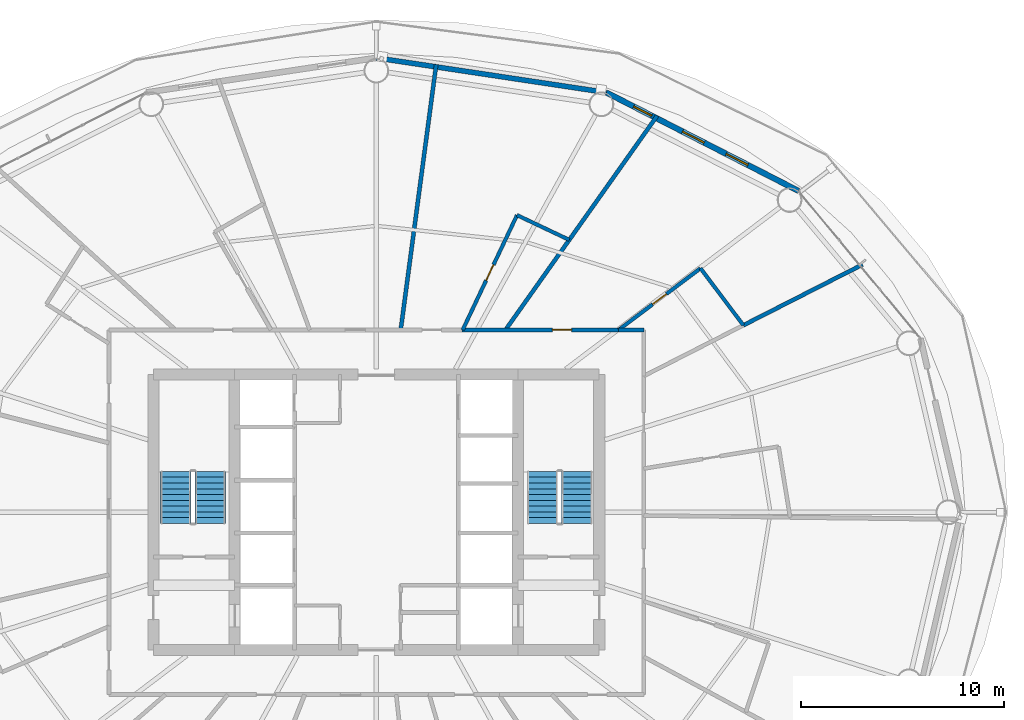
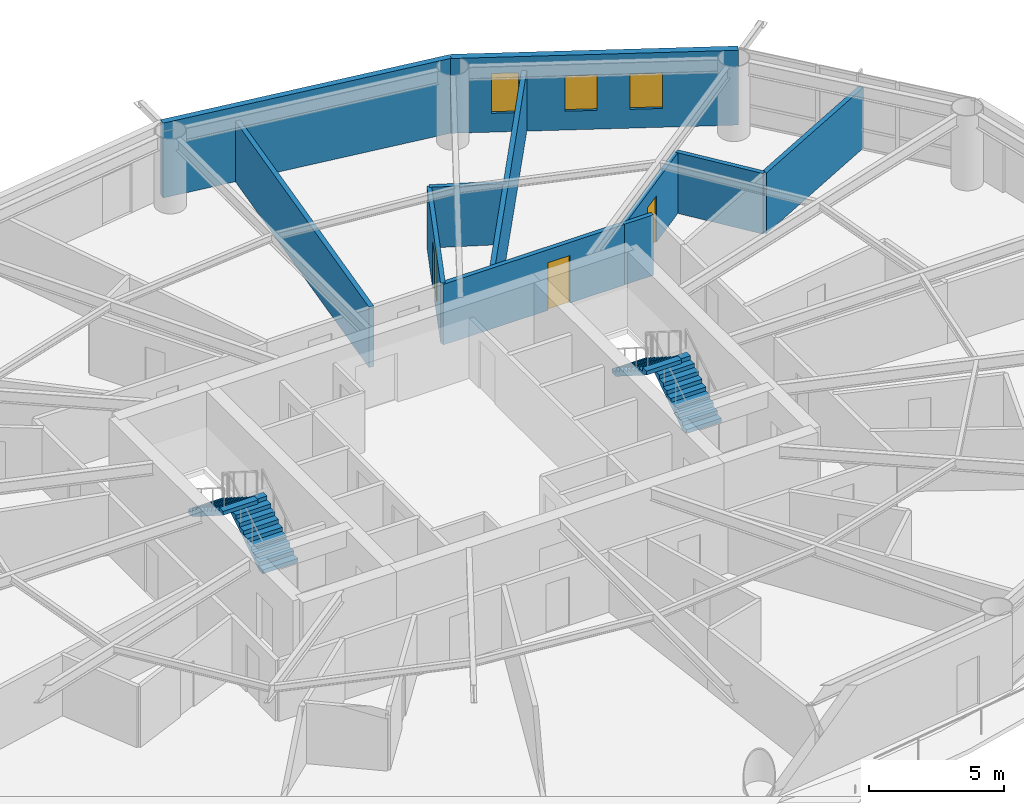
# One storey, part 21 of 24: 11 walls, 4 stair flights, 3 doors, 3 windows, 6 openings, 2 elements without a shape of their own.
"""IFC4 building model written with IfcOpenShell, lengths in metres."""

from ifc_helpers import new_model, si_unit, direction, frame, frame_2d, origin, place, context, subcontext, project, spatial, polyline, rectangle, outline, extrude, material, layer, layer_set, type_object, element, fill, aggregate, save


model = new_model("IFC4")

# Units and contexts
model_context = context("Model", 3, precision=1e-05, world=origin(), true_north=direction((0.0, 1.0)))
body_context = subcontext(model_context, "Body", "Model", "MODEL_VIEW")
ifc_project = project(units=[si_unit("LENGTHUNIT", "METRE"), si_unit("AREAUNIT", "SQUARE_METRE"), si_unit("VOLUMEUNIT", "CUBIC_METRE"), si_unit("PLANEANGLEUNIT", "RADIAN"), si_unit("MASSUNIT", "GRAM", prefix="KILO")], contexts=[model_context])

# Site, building, storey
site_placement = place(None, origin())
site = spatial("IfcSite", under=ifc_project, at=site_placement, CompositionType="ELEMENT")
building_placement = place(site_placement, origin())
building = spatial("IfcBuilding", under=site, at=building_placement, Name="Sarneth Arch Tower", CompositionType="ELEMENT")
storey_placement = place(building_placement, frame((0.0, 0.0, 112.800048828125)))
storey = spatial("IfcBuildingStorey", under=building, at=storey_placement, Name="L28", CompositionType="ELEMENT", Elevation=112.800048828125)

# Wall, opening, door
ifc_material_1 = material(Name="Double steel-stud corridor fire wall", Category="steel")
ifc_layer_1 = layer(ifc_material_1, 0.18994140625)
ifc_layer_set_1 = layer_set([ifc_layer_1], Name="Double steel-stud corridor fire wall")
wall_type_1 = type_object("IfcWallType", Name="WALL-CORR-190", PredefinedType="PARTITIONING", material=ifc_layer_set_1)
wall_1_placement = place(storey_placement, frame((59.956787109375, 51.0, 0.0), z_axis=(0.0, 0.0, 1.0), x_axis=(-1.0, 0.0, 0.0)))
wall_1 = element("IfcWall", 1, at=wall_1_placement, inside=storey, type_object=wall_type_1, Name="L28 Interior partition W-L28-TP-001", PredefinedType="PARTITIONING", context=body_context, shape_type="SweptSolid", body=[
    extrude(rectangle(XDim=7.73046875, YDim=0.18994140625, at=frame_2d((3.865234375, 0.0))), origin(), (0.0, 0.0, 1.0), 2.739990234375),
])
opening_1_placement = place(wall_1_placement, frame((2.31640625, 0.0, 0.0)))
opening_1 = element("IfcOpeningElement", 2, at=opening_1_placement, cuts=wall_1, Name="Opening FD-09", PredefinedType="OPENING", context=body_context, shape_type="SweptSolid", body=[
    extrude(rectangle(XDim=0.949951171875, YDim=2.14990234375, at=frame_2d((0.47509765625, 1.074951171875))), frame((0.0, 0.10498046875, 0.0), z_axis=(0.0, -1.0, 0.0), x_axis=(1.0, 0.0, 0.0)), (0.0, 0.0, 1.0), 0.2099609375),
])
ifc_material_2 = material(Name="Hardwood timber hotel entrance fire door", Category="wood")
door_type_1 = type_object("IfcDoorType", Name="DR-FD60-950", OperationType="SINGLE_SWING_RIGHT", PredefinedType="DOOR", material=ifc_material_2)
door_1_placement = place(opening_1_placement, origin())
door_1 = element("IfcDoor", 3, at=door_1_placement, inside=storey, type_object=door_type_1, Name="L28 Interior door DR-L28-KEY-01", OperationType="SINGLE_SWING_LEFT", OverallHeight=2.14990234375, OverallWidth=0.949951171875, PredefinedType="DOOR", context=body_context, shape_type="SweptSolid", body=[
    extrude(rectangle(XDim=0.949951171875, YDim=2.14990234375, at=frame_2d((0.47509765625, 1.074951171875))), frame((0.0, 0.02490234375, 0.0), z_axis=(0.0, -1.0, 0.0), x_axis=(1.0, 0.0, 0.0)), (0.0, 0.0, 1.0), 0.050048828125),
])
fill(opening_1, door_1)

# Wall
ifc_material_3 = material(Name="Extruded terracotta rainscreen on Concrete C40/50 backing", Category="masonry")
ifc_layer_2 = layer(ifc_material_3, 0.25)
ifc_layer_set_2 = layer_set([ifc_layer_2], Name="Extruded terracotta rainscreen on Concrete C40/50 backing")
wall_type_2 = type_object("IfcWallType", Name="WALL-EXT-SPAND-250", PredefinedType="SOLIDWALL", material=ifc_layer_set_2)
wall_2_placement = place(storey_placement, frame((59.351318359375, 62.72265625, 0.0), z_axis=(0.0, 0.0, 1.0), x_axis=(-0.988877774656, 0.148730450117, 0.0)))
element("IfcWall", 4, at=wall_2_placement, inside=storey, type_object=wall_type_2, Name="L28 Terracotta perimeter wall 04", PredefinedType="SOLIDWALL", context=body_context, shape_type="SweptSolid", body=[
    extrude(rectangle(XDim=11.47900390625, YDim=0.25, at=frame_2d((5.739501953125, 0.0))), origin(), (0.0, 0.0, 1.0), 3.3798828125),
])

# Wall, openings, windows
ifc_material_4 = material(Name="Extruded terracotta rainscreen on Concrete C40/50 backing", Category="masonry")
ifc_layer_3 = layer(ifc_material_4, 0.280029296875)
ifc_layer_set_3 = layer_set([ifc_layer_3], Name="Extruded terracotta rainscreen on Concrete C40/50 backing")
wall_type_3 = type_object("IfcWallType", Name="WALL-EXT-TERRA-280", PredefinedType="SOLIDWALL", material=ifc_layer_set_3)
wall_3_placement = place(storey_placement, frame((68.840087890625, 57.8603515625, 0.0), z_axis=(0.0, 0.0, 1.0), x_axis=(-0.889959505023, 0.45603955905, 0.0)))
wall_3 = element("IfcWall", 5, at=wall_3_placement, inside=storey, type_object=wall_type_3, Name="L28 Terracotta perimeter wall 03", PredefinedType="SOLIDWALL", context=body_context, shape_type="SweptSolid", body=[
    extrude(rectangle(XDim=10.662109375, YDim=0.280029296875, at=frame_2d((5.3310546875, 0.0))), origin(), (0.0, 0.0, 1.0), 3.3798828125),
])
opening_2_placement = place(wall_3_placement, frame((2.811279296875, 0.0, 0.85009765625)))
opening_2 = element("IfcOpeningElement", 6, at=opening_2_placement, cuts=wall_3, Name="Opening W-10", PredefinedType="OPENING", context=body_context, shape_type="SweptSolid", body=[
    extrude(rectangle(XDim=1.199951171875, YDim=1.60009765625, at=frame_2d((0.60009765625, 0.800048828125))), frame((0.0, 0.14990234375, 0.0), z_axis=(0.0, -1.0, 0.0), x_axis=(1.0, 0.0, 0.0)), (0.0, 0.0, 1.0), 0.300048828125),
])
opening_3_placement = place(wall_3_placement, frame((5.232421875, 0.0, 0.85009765625)))
opening_3 = element("IfcOpeningElement", 7, at=opening_3_placement, cuts=wall_3, Name="Opening W-10", PredefinedType="OPENING", context=body_context, shape_type="SweptSolid", body=[
    extrude(rectangle(XDim=1.199951171875, YDim=1.60009765625, at=frame_2d((0.60009765625, 0.800048828125))), frame((0.0, 0.14990234375, 0.0), z_axis=(0.0, -1.0, 0.0), x_axis=(1.0, 0.0, 0.0)), (0.0, 0.0, 1.0), 0.300048828125),
])
opening_4_placement = place(wall_3_placement, frame((8.141845703125, 0.0, 0.85009765625)))
opening_4 = element("IfcOpeningElement", 8, at=opening_4_placement, cuts=wall_3, Name="Opening W-11", PredefinedType="OPENING", context=body_context, shape_type="SweptSolid", body=[
    extrude(rectangle(XDim=1.0, YDim=1.800048828125, at=frame_2d((0.5, 0.89990234375))), frame((0.0, 0.14990234375, 0.0), z_axis=(0.0, -1.0, 0.0), x_axis=(1.0, 0.0, 0.0)), (0.0, 0.0, 1.0), 0.300048828125),
])
ifc_material_5 = material(Name="Thermally broken Aluminium 6063-T6 and low-e laminated IGU", Category="aluminium")
window_type_1 = type_object("IfcWindowType", Name="WIN-TWR-1000x1800", PartitioningType="SINGLE_PANEL", PredefinedType="WINDOW", material=ifc_material_5)
window_1_placement = place(opening_4_placement, origin())
window_1 = element("IfcWindow", 9, at=window_1_placement, inside=storey, type_object=window_type_1, Name="L28 Dwelling bedroom window 01", OverallHeight=1.800048828125, OverallWidth=1.0, PartitioningType="SINGLE_PANEL", PredefinedType="WINDOW", context=body_context, shape_type="SweptSolid", body=[
    extrude(rectangle(XDim=1.0, YDim=1.800048828125, at=frame_2d((0.5, 0.89990234375))), frame((0.0, 0.030029296875, 0.0), z_axis=(0.0, -1.0, 0.0), x_axis=(1.0, 0.0, 0.0)), (0.0, 0.0, 1.0), 0.06005859375),
])
fill(opening_4, window_1)
ifc_material_6 = material(Name="Thermally broken Aluminium 6063-T6 and low-e laminated IGU", Category="aluminium")
window_type_2 = type_object("IfcWindowType", Name="WIN-TWR-1200x1600", PartitioningType="SINGLE_PANEL", PredefinedType="WINDOW", material=ifc_material_6)
window_2_placement = place(opening_2_placement, origin())
window_2 = element("IfcWindow", 10, at=window_2_placement, inside=storey, type_object=window_type_2, Name="L28 Exterior window 03A", OverallHeight=1.60009765625, OverallWidth=1.199951171875, PartitioningType="SINGLE_PANEL", PredefinedType="WINDOW", context=body_context, shape_type="SweptSolid", body=[
    extrude(rectangle(XDim=1.199951171875, YDim=1.60009765625, at=frame_2d((0.60009765625, 0.800048828125))), frame((0.0, 0.030029296875, 0.0), z_axis=(0.0, -1.0, 0.0), x_axis=(1.0, 0.0, 0.0)), (0.0, 0.0, 1.0), 0.06005859375),
])
fill(opening_2, window_2)
window_3_placement = place(opening_3_placement, origin())
window_3 = element("IfcWindow", 11, at=window_3_placement, inside=storey, type_object=window_type_2, Name="L28 Exterior window 03B", OverallHeight=1.60009765625, OverallWidth=1.199951171875, PartitioningType="SINGLE_PANEL", PredefinedType="WINDOW", context=body_context, shape_type="SweptSolid", body=[
    extrude(rectangle(XDim=1.199951171875, YDim=1.60009765625, at=frame_2d((0.60009765625, 0.800048828125))), frame((0.0, 0.030029296875, 0.0), z_axis=(0.0, -1.0, 0.0), x_axis=(1.0, 0.0, 0.0)), (0.0, 0.0, 1.0), 0.06005859375),
])
fill(opening_3, window_3)

# Wall, opening, door
ifc_material_7 = material(Name="Moisture-resistant plumbing chase wall", Category="gypsum")
ifc_layer_4 = layer(ifc_material_7, 0.179931640625)
ifc_layer_set_4 = layer_set([ifc_layer_4], Name="Moisture-resistant plumbing chase wall")
wall_type_4 = type_object("IfcWallType", Name="WALL-PLUMB-180", PredefinedType="PLUMBINGWALL", material=ifc_layer_set_4)
wall_4_placement = place(storey_placement, frame((54.944580078125, 56.666259765625, 0.0), z_axis=(0.0, 0.0, 1.0), x_axis=(-0.427935680108, -0.903809190975, 0.0)))
wall_4 = element("IfcWall", 12, at=wall_4_placement, inside=storey, type_object=wall_type_4, Name="L28 Interior partition W-L28-TP-035", PredefinedType="PLUMBINGWALL", context=body_context, shape_type="SweptSolid", body=[
    extrude(rectangle(XDim=6.269287109375, YDim=0.179931640625, at=frame_2d((3.134765625, 0.0))), origin(), (0.0, 0.0, 1.0), 2.739990234375),
])
opening_5_placement = place(wall_4_placement, frame((2.709716796875, 0.0, 0.0)))
opening_5 = element("IfcOpeningElement", 13, at=opening_5_placement, cuts=wall_4, Name="Opening ID-02", PredefinedType="OPENING", context=body_context, shape_type="SweptSolid", body=[
    extrude(rectangle(XDim=0.85009765625, YDim=2.10009765625, at=frame_2d((0.425048828125, 1.050048828125))), frame((0.0, 0.099853515625, 0.0), z_axis=(0.0, -1.0, 0.0), x_axis=(1.0, 0.0, 0.0)), (0.0, 0.0, 1.0), 0.199951171875),
])
ifc_material_8 = material(Name="Moisture-resistant bathroom timber door", Category="wood")
door_type_2 = type_object("IfcDoorType", Name="DR-INT-850", OperationType="SINGLE_SWING_RIGHT", PredefinedType="DOOR", material=ifc_material_8)
door_2_placement = place(opening_5_placement, origin())
door_2 = element("IfcDoor", 14, at=door_2_placement, inside=storey, type_object=door_type_2, Name="L28 Interior door DR-L28-ENS-02", OperationType="SINGLE_SWING_RIGHT", OverallHeight=2.10009765625, OverallWidth=0.85009765625, PredefinedType="DOOR", context=body_context, shape_type="SweptSolid", body=[
    extrude(rectangle(XDim=0.85009765625, YDim=2.10009765625, at=frame_2d((0.425048828125, 1.050048828125))), frame((0.0, 0.02490234375, 0.0), z_axis=(0.0, -1.0, 0.0), x_axis=(1.0, 0.0, 0.0)), (0.0, 0.0, 1.0), 0.050048828125),
])
fill(opening_5, door_2)

wall_5_placement = place(storey_placement, frame((59.956787109375, 51.0, 0.0), z_axis=(0.0, 0.0, 1.0), x_axis=(0.798951197172, 0.601395863419, 0.0)))
wall_5 = element("IfcWall", 15, at=wall_5_placement, inside=storey, type_object=wall_type_4, Name="L28 Interior partition W-L28-TP-028", PredefinedType="PLUMBINGWALL", context=body_context, shape_type="SweptSolid", body=[
    extrude(rectangle(XDim=5.061767578125, YDim=0.179931640625, at=frame_2d((2.53076171875, 0.0))), origin(), (0.0, 0.0, 1.0), 2.739990234375),
])
opening_6_placement = place(wall_5_placement, frame((2.10595703125, 0.0, 0.0)))
opening_6 = element("IfcOpeningElement", 16, at=opening_6_placement, cuts=wall_5, Name="Opening ID-02", PredefinedType="OPENING", context=body_context, shape_type="SweptSolid", body=[
    extrude(rectangle(XDim=0.85009765625, YDim=2.10009765625, at=frame_2d((0.425048828125, 1.050048828125))), frame((0.0, 0.099853515625, 0.0), z_axis=(0.0, -1.0, 0.0), x_axis=(1.0, 0.0, 0.0)), (0.0, 0.0, 1.0), 0.199951171875),
])
door_3_placement = place(opening_6_placement, origin())
door_3 = element("IfcDoor", 17, at=door_3_placement, inside=storey, type_object=door_type_2, Name="L28 Interior door DR-L28-ENS-01", OperationType="SINGLE_SWING_RIGHT", OverallHeight=2.10009765625, OverallWidth=0.85009765625, PredefinedType="DOOR", context=body_context, shape_type="SweptSolid", body=[
    extrude(rectangle(XDim=0.85009765625, YDim=2.10009765625, at=frame_2d((0.425048828125, 1.050048828125))), frame((0.0, 0.02490234375, 0.0), z_axis=(0.0, -1.0, 0.0), x_axis=(1.0, 0.0, 0.0)), (0.0, 0.0, 1.0), 0.050048828125),
])
fill(opening_6, door_3)

# Walls
wall_6_placement = place(storey_placement, frame((64.0009765625, 54.044189453125, 0.0), z_axis=(0.0, 0.0, 1.0), x_axis=(0.601341788725, -0.79899189804, 0.0)))
element("IfcWall", 18, at=wall_6_placement, inside=storey, type_object=wall_type_4, Name="L28 Interior partition W-L28-TP-029", PredefinedType="PLUMBINGWALL", context=body_context, shape_type="SweptSolid", body=[
    extrude(rectangle(XDim=3.520263671875, YDim=0.179931640625, at=frame_2d((1.76025390625, 0.0))), origin(), (0.0, 0.0, 1.0), 2.739990234375),
])
wall_7_placement = place(storey_placement, frame((57.522705078125, 55.445556640625, 0.0), z_axis=(0.0, 0.0, 1.0), x_axis=(-0.90380753646, 0.42793917446, 0.0)))
element("IfcWall", 19, at=wall_7_placement, inside=storey, type_object=wall_type_4, Name="L28 Interior partition W-L28-TP-034", PredefinedType="PLUMBINGWALL", context=body_context, shape_type="SweptSolid", body=[
    extrude(rectangle(XDim=2.8525390625, YDim=0.179931640625, at=frame_2d((1.42626953125, 0.0))), origin(), (0.0, 0.0, 1.0), 2.739990234375),
])
wall_8_placement = place(storey_placement, frame((61.199951171875, 51.0, 0.0), z_axis=(0.0, 0.0, 1.0), x_axis=(-1.0, 0.0, 0.0)))
element("IfcWall", 20, at=wall_8_placement, inside=storey, type_object=wall_type_4, Name="L28 Interior partition W-L28-TP-003", PredefinedType="PLUMBINGWALL", context=body_context, shape_type="SweptSolid", body=[
    extrude(rectangle(XDim=1.2431640625, YDim=0.179931640625, at=frame_2d((0.62158203125, 0.0))), origin(), (0.0, 0.0, 1.0), 2.739990234375),
])
ifc_material_9 = material(Name="Double steel-stud acoustic drywall", Category="steel")
ifc_layer_5 = layer(ifc_material_9, 0.199951171875)
ifc_layer_set_5 = layer_set([ifc_layer_5], Name="Double steel-stud acoustic drywall")
wall_type_5 = type_object("IfcWallType", Name="WALL-UNIT-200", PredefinedType="PARTITIONING", material=ifc_layer_set_5)
wall_9_placement = place(storey_placement, frame((50.955810546875, 64.106689453125, 0.0), z_axis=(0.0, 0.0, 1.0), x_axis=(-0.132526518831, -0.99117945994, 0.0)))
element("IfcWall", 21, at=wall_9_placement, inside=storey, type_object=wall_type_5, Name="L28 Interior partition W-L28-TP-036", PredefinedType="PARTITIONING", context=body_context, shape_type="SweptSolid", body=[
    extrude(rectangle(XDim=13.223388671875, YDim=0.199951171875, at=frame_2d((6.61181640625, 0.0))), origin(), (0.0, 0.0, 1.0), 2.739990234375),
])
wall_10_placement = place(storey_placement, frame((54.374267578125, 51.0, 0.0), z_axis=(0.0, 0.0, 1.0), x_axis=(0.577967135411, 0.816060040919, 0.0)))
element("IfcWall", 22, at=wall_10_placement, inside=storey, type_object=wall_type_5, Name="L28 Interior partition W-L28-TP-030", PredefinedType="PARTITIONING", context=body_context, shape_type="SweptSolid", body=[
    extrude(rectangle(XDim=12.952880859375, YDim=0.199951171875, at=frame_2d((6.4765625, 0.0))), origin(), (0.0, 0.0, 1.0), 2.739990234375),
])
wall_11_placement = place(storey_placement, frame((71.998046875, 54.2275390625, 0.0), z_axis=(0.0, 0.0, 1.0), x_axis=(-0.891005333778, -0.453992836044, 0.0)))
element("IfcWall", 23, at=wall_11_placement, inside=storey, type_object=wall_type_5, Name="L28 Interior partition W-L28-TP-032", PredefinedType="PARTITIONING", context=body_context, shape_type="SweptSolid", body=[
    extrude(rectangle(XDim=6.599365234375, YDim=0.199951171875, at=frame_2d((3.2998046875, 0.0))), origin(), (0.0, 0.0, 1.0), 2.739990234375),
])

# Stair, stair flights
ifc_material_10 = material(Name="Concrete C50/60", Category="concrete")
stair_type = type_object("IfcStairType", Name="STAIR-CORE-RC", PredefinedType="HALF_TURN_STAIR", material=ifc_material_10)
stair_1_placement = place(storey_placement, origin())
stair_1 = element("IfcStair", 24, at=stair_1_placement, inside=storey, type_object=stair_type, Name="L28 Core Exit Stair 1", PredefinedType="HALF_TURN_STAIR")
ifc_material_11 = material(Name="Concrete C50/60", Category="concrete")
stair_flight_type = type_object("IfcStairFlightType", Name="FLIGHT-RC-1500", PredefinedType="STRAIGHT", material=ifc_material_11)
stair_flight_1_placement = place(storey_placement, frame((39.800048828125, 41.449951171875, 0.0), z_axis=(0.0, 0.0, 1.0), x_axis=(0.0, 1.0, 0.0)))
stair_flight_1 = element("IfcStairFlight", 25, at=stair_flight_1_placement, type_object=stair_flight_type, Name="ST-1 flight 1", NumberOfRisers=10, NumberOfTreads=9, PredefinedType="STRAIGHT", RiserHeight=0.18, TreadLength=0.285, context=body_context, shape_type="SweptSolid", body=[
    extrude(outline(polyline([(0.0, 0.0), (0.0, 0.179931640625), (0.284912109375, 0.179931640625), (0.284912109375, 0.360107421875), (0.570068359375, 0.360107421875), (0.570068359375, 0.5400390625), (0.85498046875, 0.5400390625), (0.85498046875, 0.719970703125), (1.139892578125, 0.719970703125), (1.139892578125, 0.89990234375), (1.425048828125, 0.89990234375), (1.425048828125, 1.080078125), (1.7099609375, 1.080078125), (1.7099609375, 1.260009765625), (1.9951171875, 1.260009765625), (1.9951171875, 1.43994140625), (2.280029296875, 1.43994140625), (2.280029296875, 1.6201171875), (2.56494140625, 1.6201171875), (2.56494140625, 1.800048828125), (2.56494140625, 1.442626953125), (0.28076171875, 0.0), (0.0, 0.0)])), frame((0.0, 0.75, 0.0), z_axis=(0.0, -1.0, 0.0), x_axis=(1.0, 0.0, 0.0)), (0.0, 0.0, 1.0), 1.5),
])
stair_flight_2_placement = place(storey_placement, frame((38.10009765625, 44.014892578125, 1.800048828125), z_axis=(0.0, 0.0, 1.0), x_axis=(0.0, -1.0, 0.0)))
stair_flight_2 = element("IfcStairFlight", 26, at=stair_flight_2_placement, type_object=stair_flight_type, Name="ST-1 flight 2", NumberOfRisers=10, NumberOfTreads=9, PredefinedType="STRAIGHT", RiserHeight=0.18, TreadLength=0.285, context=body_context, shape_type="SweptSolid", body=[
    extrude(outline(polyline([(0.0, 0.0), (0.0, 0.179931640625), (0.284912109375, 0.179931640625), (0.284912109375, 0.360107421875), (0.570068359375, 0.360107421875), (0.570068359375, 0.5400390625), (0.85498046875, 0.5400390625), (0.85498046875, 0.719970703125), (1.139892578125, 0.719970703125), (1.139892578125, 0.89990234375), (1.425048828125, 0.89990234375), (1.425048828125, 1.080078125), (1.7099609375, 1.080078125), (1.7099609375, 1.260009765625), (1.9951171875, 1.260009765625), (1.9951171875, 1.43994140625), (2.280029296875, 1.43994140625), (2.280029296875, 1.6201171875), (2.56494140625, 1.6201171875), (2.56494140625, 1.800048828125), (2.56494140625, 1.442626953125), (0.28076171875, 0.0), (0.0, 0.0)])), frame((0.0, 0.75, 0.0), z_axis=(0.0, -1.0, 0.0), x_axis=(1.0, 0.0, 0.0)), (0.0, 0.0, 1.0), 1.5),
])
aggregate(stair_1, [stair_flight_1, stair_flight_2])

stair_2_placement = place(storey_placement, origin())
stair_2 = element("IfcStair", 27, at=stair_2_placement, inside=storey, type_object=stair_type, Name="L28 Core Exit Stair 2", PredefinedType="HALF_TURN_STAIR")
stair_flight_3_placement = place(storey_placement, frame((57.89990234375, 41.449951171875, 0.0), z_axis=(0.0, 0.0, 1.0), x_axis=(0.0, 1.0, 0.0)))
stair_flight_3 = element("IfcStairFlight", 28, at=stair_flight_3_placement, type_object=stair_flight_type, Name="ST-2 flight 1", NumberOfRisers=10, NumberOfTreads=9, PredefinedType="STRAIGHT", RiserHeight=0.18, TreadLength=0.285, context=body_context, shape_type="SweptSolid", body=[
    extrude(outline(polyline([(0.0, 0.0), (0.0, 0.179931640625), (0.284912109375, 0.179931640625), (0.284912109375, 0.360107421875), (0.570068359375, 0.360107421875), (0.570068359375, 0.5400390625), (0.85498046875, 0.5400390625), (0.85498046875, 0.719970703125), (1.139892578125, 0.719970703125), (1.139892578125, 0.89990234375), (1.425048828125, 0.89990234375), (1.425048828125, 1.080078125), (1.7099609375, 1.080078125), (1.7099609375, 1.260009765625), (1.9951171875, 1.260009765625), (1.9951171875, 1.43994140625), (2.280029296875, 1.43994140625), (2.280029296875, 1.6201171875), (2.56494140625, 1.6201171875), (2.56494140625, 1.800048828125), (2.56494140625, 1.442626953125), (0.28076171875, 0.0), (0.0, 0.0)])), frame((0.0, 0.75, 0.0), z_axis=(0.0, -1.0, 0.0), x_axis=(1.0, 0.0, 0.0)), (0.0, 0.0, 1.0), 1.5),
])
stair_flight_4_placement = place(storey_placement, frame((56.199951171875, 44.014892578125, 1.800048828125), z_axis=(0.0, 0.0, 1.0), x_axis=(0.0, -1.0, 0.0)))
stair_flight_4 = element("IfcStairFlight", 29, at=stair_flight_4_placement, type_object=stair_flight_type, Name="ST-2 flight 2", NumberOfRisers=10, NumberOfTreads=9, PredefinedType="STRAIGHT", RiserHeight=0.18, TreadLength=0.285, context=body_context, shape_type="SweptSolid", body=[
    extrude(outline(polyline([(0.0, 0.0), (0.0, 0.179931640625), (0.284912109375, 0.179931640625), (0.284912109375, 0.360107421875), (0.570068359375, 0.360107421875), (0.570068359375, 0.5400390625), (0.85498046875, 0.5400390625), (0.85498046875, 0.719970703125), (1.139892578125, 0.719970703125), (1.139892578125, 0.89990234375), (1.425048828125, 0.89990234375), (1.425048828125, 1.080078125), (1.7099609375, 1.080078125), (1.7099609375, 1.260009765625), (1.9951171875, 1.260009765625), (1.9951171875, 1.43994140625), (2.280029296875, 1.43994140625), (2.280029296875, 1.6201171875), (2.56494140625, 1.6201171875), (2.56494140625, 1.800048828125), (2.56494140625, 1.442626953125), (0.28076171875, 0.0), (0.0, 0.0)])), frame((0.0, 0.75, 0.0), z_axis=(0.0, -1.0, 0.0), x_axis=(1.0, 0.0, 0.0)), (0.0, 0.0, 1.0), 1.5),
])
aggregate(stair_2, [stair_flight_3, stair_flight_4])

save(model, "model.ifc")
